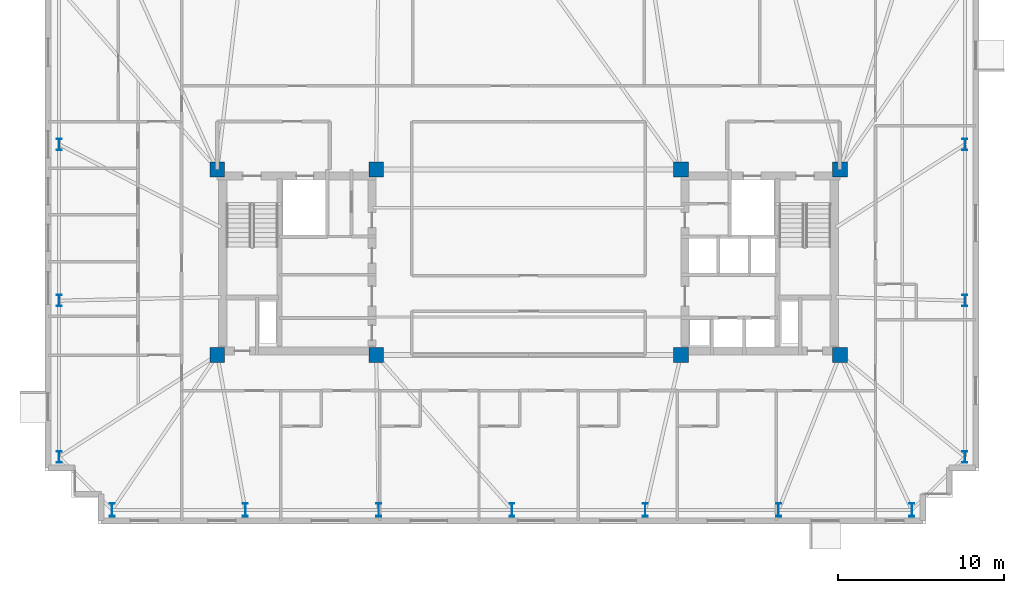
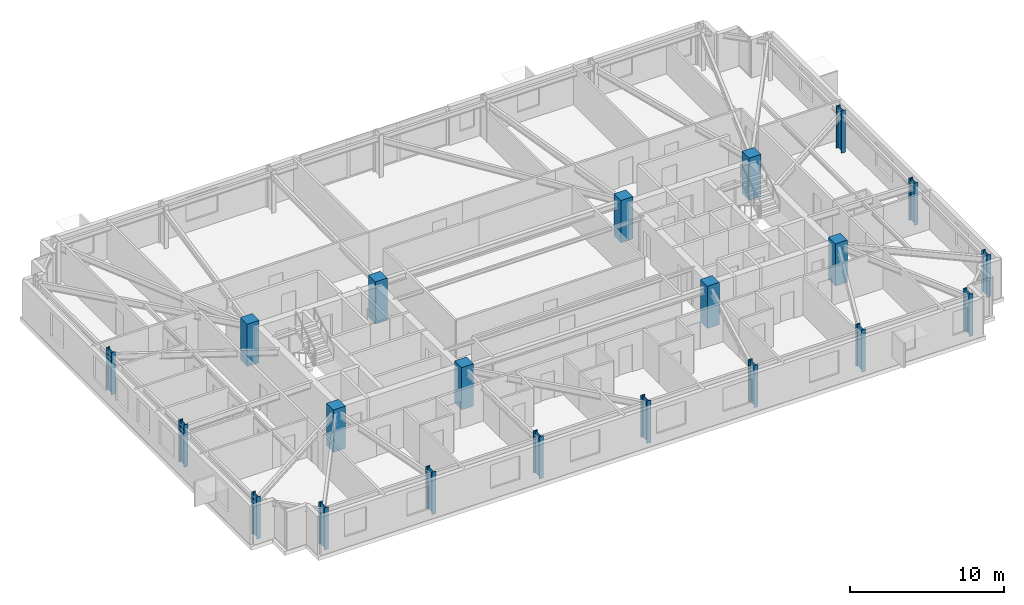
# One storey, part 1 of 18: 21 columns.
"""IFC4 building model written with IfcOpenShell, lengths in metres."""

from ifc_helpers import new_model, si_unit, direction, frame, origin, origin_2d, place, context, subcontext, project, spatial, rectangle, i_section, extrude, material, material_profile, profile_set, type_object, element, save


model = new_model("IFC4")

# Units and contexts
model_context = context("Model", 3, precision=1e-05, world=origin(), true_north=direction((0.0, 1.0)))
body_context = subcontext(model_context, "Body", "Model", "MODEL_VIEW")
ifc_project = project(units=[si_unit("LENGTHUNIT", "METRE"), si_unit("AREAUNIT", "SQUARE_METRE"), si_unit("VOLUMEUNIT", "CUBIC_METRE"), si_unit("PLANEANGLEUNIT", "RADIAN"), si_unit("MASSUNIT", "GRAM", prefix="KILO")], contexts=[model_context])

# Site, building, storey
site_placement = place(None, origin())
site = spatial("IfcSite", under=ifc_project, at=site_placement, CompositionType="ELEMENT")
building_placement = place(site_placement, origin())
building = spatial("IfcBuilding", under=site, at=building_placement, Name="Qobustan Lattice House", CompositionType="ELEMENT")
storey_placement = place(building_placement, frame((0.0, 0.0, 154.449951171875)))
storey = spatial("IfcBuildingStorey", under=building, at=storey_placement, Name="L43", CompositionType="ELEMENT", Elevation=154.449951171875)

# Columns
ifc_material_1 = material(Name="Concrete C50/60", Category="concrete")
ifc_material_profile_1 = material_profile(ifc_material_1, rectangle(XDim=0.89990234375, YDim=0.89990234375, at=origin_2d()), Name="RC900x900")
ifc_profile_set_1 = profile_set([ifc_material_profile_1], Name="Concrete C50/60")
column_type_1 = type_object("IfcColumnType", Name="COL-RC-900", PredefinedType="COLUMN", material=ifc_profile_set_1)
for number, where, z_axis, x_axis, name in (
    (1, (-18.800048828125, -5.60009765625, 0.0), (0.0, 0.0, 1.0), (1.0, 0.0, 0.0), "L43 core mega-column CW-SW"),
    (2, (-18.800048828125, 5.60009765625, 0.0), (0.0, 0.0, 1.0), (1.0, 0.0, 0.0), "L43 core mega-column CW-NW"),
    (3, (-9.199951171875, -5.60009765625, 0.0), (0.0, 0.0, 1.0), (1.0, 0.0, 0.0), "L43 core mega-column CW-SE"),
    (4, (-9.199951171875, 5.60009765625, 0.0), (0.0, 0.0, 1.0), (1.0, 0.0, 0.0), "L43 core mega-column CW-NE"),
    (5, (9.199951171875, -5.60009765625, 0.0), (0.0, 0.0, 1.0), (1.0, 0.0, 0.0), "L43 core mega-column CE-SW"),
    (6, (9.199951171875, 5.60009765625, 0.0), (0.0, 0.0, 1.0), (1.0, 0.0, 0.0), "L43 core mega-column CE-NW"),
    (7, (18.800048828125, -5.60009765625, 0.0), (0.0, 0.0, 1.0), (1.0, 0.0, 0.0), "L43 core mega-column CE-SE"),
    (8, (18.800048828125, 5.60009765625, 0.0), (0.0, 0.0, 1.0), (1.0, 0.0, 0.0), "L43 core mega-column CE-NE"),
):
    element("IfcColumn", number, at=place(storey_placement, frame(where, z_axis=z_axis, x_axis=x_axis)), inside=storey, type_object=column_type_1, Name=name, PredefinedType="COLUMN", context=body_context, shape_type="SweptSolid", body=[
        extrude(rectangle(XDim=0.89990234375, YDim=0.89990234375, at=origin_2d()), origin(), (0.0, 0.0, 1.0), 3.35009765625),
    ])
ifc_material_2 = material(Name="Steel S355", Category="steel")
ifc_material_profile_2 = material_profile(ifc_material_2, i_section(OverallWidth=0.300048828125, OverallDepth=0.699951171875, WebThickness=0.01708984375, FlangeThickness=0.031982421875, FilletRadius=0.027099609375, at=origin_2d()), Name="HEB700")
ifc_profile_set_2 = profile_set([ifc_material_profile_2], Name="Steel S355")
column_type_2 = type_object("IfcColumnType", Name="COL-ST-HEB700", PredefinedType="COLUMN", material=ifc_profile_set_2)
for number, where, z_axis, x_axis, name in (
    (9, (26.35009765625, -11.75, 0.0), (0.0, 0.0, 1.0), (1.0, 0.0, 0.0), "L43 B3 perimeter column E1"),
    (10, (26.35009765625, -2.316650390625, 0.0), (0.0, 0.0, 1.0), (1.0, 0.0, 0.0), "L43 B3 perimeter column E2"),
    (11, (26.35009765625, 7.11669921875, 0.0), (0.0, 0.0, 1.0), (1.0, 0.0, 0.0), "L43 B3 perimeter column E3"),
    (12, (-28.35009765625, 7.11669921875, 0.0), (0.0, 0.0, 1.0), (1.0, 0.0, 0.0), "L43 B3 perimeter column W2"),
    (13, (-28.35009765625, -2.316650390625, 0.0), (0.0, 0.0, 1.0), (1.0, 0.0, 0.0), "L43 B3 perimeter column W3"),
    (14, (-28.35009765625, -11.75, 0.0), (0.0, 0.0, 1.0), (1.0, 0.0, 0.0), "L43 B3 perimeter column W4"),
):
    element("IfcColumn", number, at=place(storey_placement, frame(where, z_axis=z_axis, x_axis=x_axis)), inside=storey, type_object=column_type_2, Name=name, PredefinedType="COLUMN", context=body_context, shape_type="SweptSolid", body=[
        extrude(i_section(OverallWidth=0.300048828125, OverallDepth=0.699951171875, WebThickness=0.01708984375, FlangeThickness=0.031982421875, FilletRadius=0.027099609375, at=origin_2d()), origin(), (0.0, 0.0, 1.0), 3.35009765625),
    ])
ifc_material_3 = material(Name="Steel S355", Category="steel")
ifc_material_profile_3 = material_profile(ifc_material_3, i_section(OverallWidth=0.300048828125, OverallDepth=0.800048828125, WebThickness=0.017578125, FlangeThickness=0.032958984375, FilletRadius=0.030029296875, at=origin_2d()), Name="HEB800")
ifc_profile_set_3 = profile_set([ifc_material_profile_3], Name="Steel S355")
column_type_3 = type_object("IfcColumnType", Name="COL-ST-HEB800", PredefinedType="COLUMN", material=ifc_profile_set_3)
for number, where, z_axis, x_axis, name in (
    (15, (-25.14990234375, -14.949951171875, 0.0), (0.0, 0.0, 1.0), (1.0, 0.0, 0.0), "L43 B3 perimeter column S1"),
    (16, (-17.10009765625, -14.949951171875, 0.0), (0.0, 0.0, 1.0), (1.0, 0.0, 0.0), "L43 B3 perimeter column S2"),
    (17, (-9.050048828125, -14.949951171875, 0.0), (0.0, 0.0, 1.0), (1.0, 0.0, 0.0), "L43 B3 perimeter column S3"),
    (18, (-1.0, -14.949951171875, 0.0), (0.0, 0.0, 1.0), (1.0, 0.0, 0.0), "L43 B3 perimeter column S4"),
    (19, (7.050048828125, -14.949951171875, 0.0), (0.0, 0.0, 1.0), (1.0, 0.0, 0.0), "L43 B3 perimeter column S5"),
    (20, (15.10009765625, -14.949951171875, 0.0), (0.0, 0.0, 1.0), (1.0, 0.0, 0.0), "L43 B3 perimeter column S6"),
    (21, (23.14990234375, -14.949951171875, 0.0), (0.0, 0.0, 1.0), (1.0, 0.0, 0.0), "L43 B3 perimeter column S7"),
):
    element("IfcColumn", number, at=place(storey_placement, frame(where, z_axis=z_axis, x_axis=x_axis)), inside=storey, type_object=column_type_3, Name=name, PredefinedType="COLUMN", context=body_context, shape_type="SweptSolid", body=[
        extrude(i_section(OverallWidth=0.300048828125, OverallDepth=0.800048828125, WebThickness=0.017578125, FlangeThickness=0.032958984375, FilletRadius=0.030029296875, at=origin_2d()), origin(), (0.0, 0.0, 1.0), 3.35009765625),
    ])

save(model, "model.ifc")
